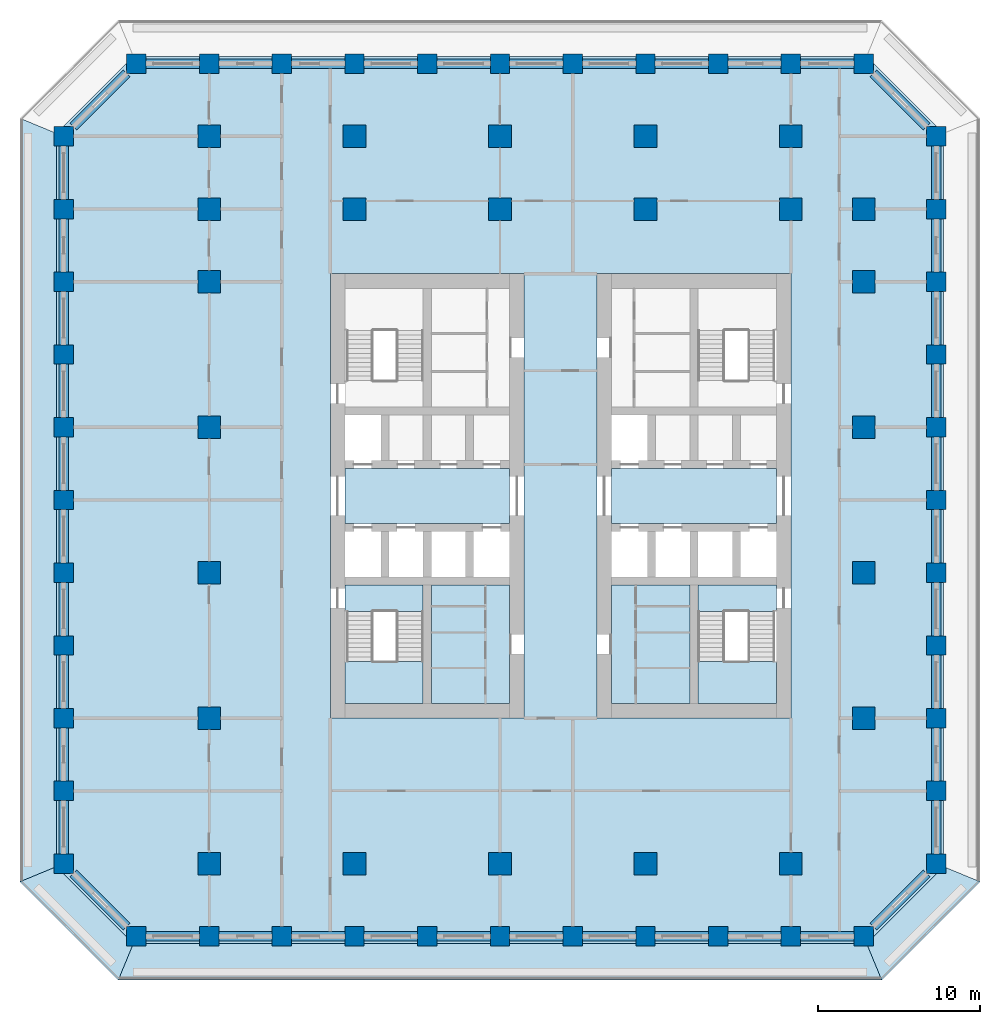
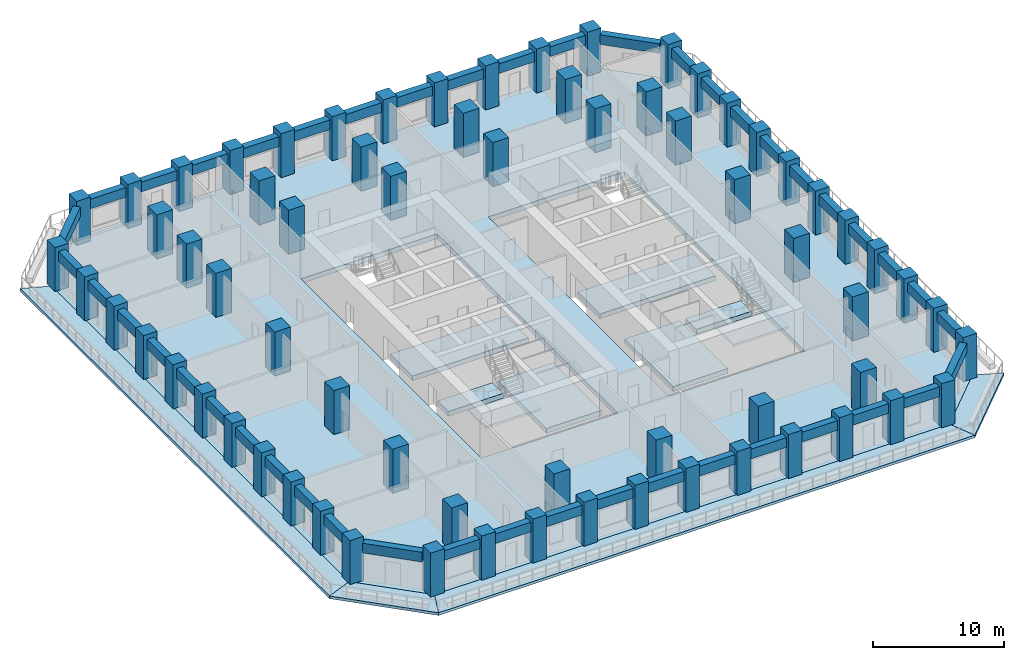
# One storey, part 1 of 17: 68 columns, 44 beams, 13 slabs, 2 elements without a shape of their own.
"""IFC4 building model written with IfcOpenShell, lengths in metres."""

from ifc_helpers import new_model, si_unit, direction, frame, origin, origin_2d, place, context, subcontext, project, spatial, polyline, rectangle, outline, extrude, material, layer, layer_set, material_profile, profile_set, type_object, element, aggregate, save


model = new_model("IFC4")

# Units and contexts
model_context = context("Model", 3, precision=1e-05, world=origin(), true_north=direction((0.0, 1.0)))
body_context = subcontext(model_context, "Body", "Model", "MODEL_VIEW")
ifc_project = project(units=[si_unit("LENGTHUNIT", "METRE"), si_unit("AREAUNIT", "SQUARE_METRE"), si_unit("VOLUMEUNIT", "CUBIC_METRE"), si_unit("PLANEANGLEUNIT", "RADIAN"), si_unit("MASSUNIT", "GRAM", prefix="KILO")], contexts=[model_context])

# Site, building, storey
site_placement = place(None, origin())
site = spatial("IfcSite", under=ifc_project, at=site_placement, CompositionType="ELEMENT")
building_placement = place(site_placement, origin())
building = spatial("IfcBuilding", under=site, at=building_placement, Name="Corbel Stack Research Tower", CompositionType="ELEMENT")
storey_placement = place(building_placement, frame((0.0, 0.0, 129.0)))
storey = spatial("IfcBuildingStorey", under=building, at=storey_placement, Name="L29", CompositionType="ELEMENT", Elevation=129.0)

# Columns
ifc_material_1 = material(Name="Concrete C70/85", Category="concrete")
ifc_material_profile_1 = material_profile(ifc_material_1, rectangle(XDim=1.199951171875, YDim=1.199951171875, at=origin_2d()), Name="RC 1200 x 1200")
ifc_profile_set_1 = profile_set([ifc_material_profile_1], Name="Concrete C70/85")
column_type_1 = type_object("IfcColumnType", Name="C-1200-70", PredefinedType="COLUMN", material=ifc_profile_set_1)
for number, where, z_axis, x_axis, name in (
    (1, (-27.0, -18.0, 0.0), (0.0, 0.0, 1.0), (1.0, 0.0, 0.0), "Column 2/D L29"),
    (2, (-27.0, -13.5, 0.0), (0.0, 0.0, 1.0), (1.0, 0.0, 0.0), "Column 2/E L29"),
    (3, (-27.0, -9.0, 0.0), (0.0, 0.0, 1.0), (1.0, 0.0, 0.0), "Column 2/F L29"),
    (4, (-27.0, -4.5, 0.0), (0.0, 0.0, 1.0), (1.0, 0.0, 0.0), "Column 2/G L29"),
    (5, (-27.0, 0.0, 0.0), (0.0, 0.0, 1.0), (1.0, 0.0, 0.0), "Column 2/H L29"),
    (6, (-27.0, 4.5, 0.0), (0.0, 0.0, 1.0), (1.0, 0.0, 0.0), "Column 2/J L29"),
    (7, (-27.0, 9.0, 0.0), (0.0, 0.0, 1.0), (1.0, 0.0, 0.0), "Column 2/K L29"),
    (8, (-27.0, 13.5, 0.0), (0.0, 0.0, 1.0), (1.0, 0.0, 0.0), "Column 2/L L29"),
    (9, (-27.0, 18.0, 0.0), (0.0, 0.0, 1.0), (1.0, 0.0, 0.0), "Column 2/M L29"),
    (10, (-27.0, 22.5, 0.0), (0.0, 0.0, 1.0), (1.0, 0.0, 0.0), "Column 2/N L29"),
    (11, (-27.0, 27.0, 0.0), (0.0, 0.0, 1.0), (1.0, 0.0, 0.0), "Column 2/P L29"),
    (12, (-22.5, -22.5, 0.0), (0.0, 0.0, 1.0), (1.0, 0.0, 0.0), "Column 3/C L29"),
    (13, (-22.5, 31.5, 0.0), (0.0, 0.0, 1.0), (1.0, 0.0, 0.0), "Column 3/Q L29"),
    (14, (-18.0, -22.5, 0.0), (0.0, 0.0, 1.0), (1.0, 0.0, 0.0), "Column 4/C L29"),
    (15, (-18.0, 31.5, 0.0), (0.0, 0.0, 1.0), (1.0, 0.0, 0.0), "Column 4/Q L29"),
    (16, (-13.5, -22.5, 0.0), (0.0, 0.0, 1.0), (1.0, 0.0, 0.0), "Column 5/C L29"),
    (17, (-13.5, 31.5, 0.0), (0.0, 0.0, 1.0), (1.0, 0.0, 0.0), "Column 5/Q L29"),
    (18, (-9.0, -22.5, 0.0), (0.0, 0.0, 1.0), (1.0, 0.0, 0.0), "Column 6/C L29"),
    (19, (-9.0, 31.5, 0.0), (0.0, 0.0, 1.0), (1.0, 0.0, 0.0), "Column 6/Q L29"),
    (20, (-4.5, -22.5, 0.0), (0.0, 0.0, 1.0), (1.0, 0.0, 0.0), "Column 7/C L29"),
    (21, (-4.5, 31.5, 0.0), (0.0, 0.0, 1.0), (1.0, 0.0, 0.0), "Column 7/Q L29"),
    (22, (0.0, -22.5, 0.0), (0.0, 0.0, 1.0), (1.0, 0.0, 0.0), "Column 8/C L29"),
    (23, (0.0, 31.5, 0.0), (0.0, 0.0, 1.0), (1.0, 0.0, 0.0), "Column 8/Q L29"),
    (24, (4.5, -22.5, 0.0), (0.0, 0.0, 1.0), (1.0, 0.0, 0.0), "Column 9/C L29"),
    (25, (4.5, 31.5, 0.0), (0.0, 0.0, 1.0), (1.0, 0.0, 0.0), "Column 9/Q L29"),
    (26, (9.0, -22.5, 0.0), (0.0, 0.0, 1.0), (1.0, 0.0, 0.0), "Column 10/C L29"),
    (27, (9.0, 31.5, 0.0), (0.0, 0.0, 1.0), (1.0, 0.0, 0.0), "Column 10/Q L29"),
    (28, (13.5, -22.5, 0.0), (0.0, 0.0, 1.0), (1.0, 0.0, 0.0), "Column 11/C L29"),
    (29, (13.5, 31.5, 0.0), (0.0, 0.0, 1.0), (1.0, 0.0, 0.0), "Column 11/Q L29"),
    (30, (18.0, -22.5, 0.0), (0.0, 0.0, 1.0), (1.0, 0.0, 0.0), "Column 12/C L29"),
    (31, (18.0, 31.5, 0.0), (0.0, 0.0, 1.0), (1.0, 0.0, 0.0), "Column 12/Q L29"),
    (32, (22.5, -22.5, 0.0), (0.0, 0.0, 1.0), (1.0, 0.0, 0.0), "Column 13/C L29"),
    (33, (22.5, 31.5, 0.0), (0.0, 0.0, 1.0), (1.0, 0.0, 0.0), "Column 13/Q L29"),
    (34, (27.0, -18.0, 0.0), (0.0, 0.0, 1.0), (1.0, 0.0, 0.0), "Column 14/D L29"),
    (35, (27.0, -13.5, 0.0), (0.0, 0.0, 1.0), (1.0, 0.0, 0.0), "Column 14/E L29"),
    (36, (27.0, -9.0, 0.0), (0.0, 0.0, 1.0), (1.0, 0.0, 0.0), "Column 14/F L29"),
    (37, (27.0, -4.5, 0.0), (0.0, 0.0, 1.0), (1.0, 0.0, 0.0), "Column 14/G L29"),
    (38, (27.0, 0.0, 0.0), (0.0, 0.0, 1.0), (1.0, 0.0, 0.0), "Column 14/H L29"),
    (39, (27.0, 4.5, 0.0), (0.0, 0.0, 1.0), (1.0, 0.0, 0.0), "Column 14/J L29"),
    (40, (27.0, 9.0, 0.0), (0.0, 0.0, 1.0), (1.0, 0.0, 0.0), "Column 14/K L29"),
    (41, (27.0, 13.5, 0.0), (0.0, 0.0, 1.0), (1.0, 0.0, 0.0), "Column 14/L L29"),
    (42, (27.0, 18.0, 0.0), (0.0, 0.0, 1.0), (1.0, 0.0, 0.0), "Column 14/M L29"),
    (43, (27.0, 22.5, 0.0), (0.0, 0.0, 1.0), (1.0, 0.0, 0.0), "Column 14/N L29"),
    (44, (27.0, 27.0, 0.0), (0.0, 0.0, 1.0), (1.0, 0.0, 0.0), "Column 14/P L29"),
):
    element("IfcColumn", number, at=place(storey_placement, frame(where, z_axis=z_axis, x_axis=x_axis)), inside=storey, type_object=column_type_1, Name=name, PredefinedType="COLUMN", context=body_context, shape_type="SweptSolid", body=[
        extrude(rectangle(XDim=1.199951171875, YDim=1.199951171875, at=origin_2d()), origin(), (0.0, 0.0, 1.0), 4.10009765625),
    ])
ifc_material_2 = material(Name="Concrete C70/85", Category="concrete")
ifc_material_profile_2 = material_profile(ifc_material_2, rectangle(XDim=1.39990234375, YDim=1.39990234375, at=origin_2d()), Name="RC 1400 x 1400")
ifc_profile_set_2 = profile_set([ifc_material_profile_2], Name="Concrete C70/85")
column_type_2 = type_object("IfcColumnType", Name="C-1400-70", PredefinedType="COLUMN", material=ifc_profile_set_2)
for number, where, z_axis, x_axis, name in (
    (45, (-18.0, -18.0, 0.0), (0.0, 0.0, 1.0), (1.0, 0.0, 0.0), "Column 4/D L29"),
    (46, (-18.0, -9.0, 0.0), (0.0, 0.0, 1.0), (1.0, 0.0, 0.0), "Column 4/F L29"),
    (47, (-18.0, 0.0, 0.0), (0.0, 0.0, 1.0), (1.0, 0.0, 0.0), "Column 4/H L29"),
    (48, (-18.0, 9.0, 0.0), (0.0, 0.0, 1.0), (1.0, 0.0, 0.0), "Column 4/K L29"),
    (49, (-18.0, 18.0, 0.0), (0.0, 0.0, 1.0), (1.0, 0.0, 0.0), "Column 4/M L29"),
    (50, (-18.0, 22.5, 0.0), (0.0, 0.0, 1.0), (1.0, 0.0, 0.0), "Column 4/N L29"),
    (51, (-18.0, 27.0, 0.0), (0.0, 0.0, 1.0), (1.0, 0.0, 0.0), "Column 4/P L29"),
    (52, (-9.0, -18.0, 0.0), (0.0, 0.0, 1.0), (1.0, 0.0, 0.0), "Column 6/D L29"),
    (53, (-9.0, 22.5, 0.0), (0.0, 0.0, 1.0), (1.0, 0.0, 0.0), "Column 6/N L29"),
    (54, (-9.0, 27.0, 0.0), (0.0, 0.0, 1.0), (1.0, 0.0, 0.0), "Column 6/P L29"),
    (55, (0.0, -18.0, 0.0), (0.0, 0.0, 1.0), (1.0, 0.0, 0.0), "Column 8/D L29"),
    (56, (0.0, 22.5, 0.0), (0.0, 0.0, 1.0), (1.0, 0.0, 0.0), "Column 8/N L29"),
    (57, (0.0, 27.0, 0.0), (0.0, 0.0, 1.0), (1.0, 0.0, 0.0), "Column 8/P L29"),
    (58, (9.0, -18.0, 0.0), (0.0, 0.0, 1.0), (1.0, 0.0, 0.0), "Column 10/D L29"),
    (59, (9.0, 22.5, 0.0), (0.0, 0.0, 1.0), (1.0, 0.0, 0.0), "Column 10/N L29"),
    (60, (9.0, 27.0, 0.0), (0.0, 0.0, 1.0), (1.0, 0.0, 0.0), "Column 10/P L29"),
    (61, (18.0, -18.0, 0.0), (0.0, 0.0, 1.0), (1.0, 0.0, 0.0), "Column 12/D L29"),
    (62, (18.0, 22.5, 0.0), (0.0, 0.0, 1.0), (1.0, 0.0, 0.0), "Column 12/N L29"),
    (63, (18.0, 27.0, 0.0), (0.0, 0.0, 1.0), (1.0, 0.0, 0.0), "Column 12/P L29"),
    (64, (22.5, -9.0, 0.0), (0.0, 0.0, 1.0), (1.0, 0.0, 0.0), "Column 13/F L29"),
    (65, (22.5, 0.0, 0.0), (0.0, 0.0, 1.0), (1.0, 0.0, 0.0), "Column 13/H L29"),
    (66, (22.5, 9.0, 0.0), (0.0, 0.0, 1.0), (1.0, 0.0, 0.0), "Column 13/K L29"),
    (67, (22.5, 18.0, 0.0), (0.0, 0.0, 1.0), (1.0, 0.0, 0.0), "Column 13/M L29"),
    (68, (22.5, 22.5, 0.0), (0.0, 0.0, 1.0), (1.0, 0.0, 0.0), "Column 13/N L29"),
):
    element("IfcColumn", number, at=place(storey_placement, frame(where, z_axis=z_axis, x_axis=x_axis)), inside=storey, type_object=column_type_2, Name=name, PredefinedType="COLUMN", context=body_context, shape_type="SweptSolid", body=[
        extrude(rectangle(XDim=1.39990234375, YDim=1.39990234375, at=origin_2d()), origin(), (0.0, 0.0, 1.0), 4.10009765625),
    ])

# Beams
ifc_material_3 = material(Name="Concrete C60/75", Category="concrete")
ifc_material_profile_3 = material_profile(ifc_material_3, rectangle(XDim=0.60009765625, YDim=0.89990234375, at=origin_2d()), Name="RC 600 x 900")
ifc_profile_set_3 = profile_set([ifc_material_profile_3], Name="Concrete C60/75")
beam_type = type_object("IfcBeamType", Name="SB-600-900-450", PredefinedType="SPANDREL", material=ifc_profile_set_3)
for number, where, z_axis, x_axis, name in (
    (69, (-21.89990234375, -22.5, 3.199951171875), (1.0, 0.0, 0.0), (0.0, 1.0, 0.0), "Spandrel beam L29-01"),
    (70, (-17.39990234375, -22.5, 3.199951171875), (1.0, 0.0, 0.0), (0.0, 1.0, 0.0), "Spandrel beam L29-02"),
    (71, (-12.89990234375, -22.5, 3.199951171875), (1.0, 0.0, 0.0), (0.0, 1.0, 0.0), "Spandrel beam L29-03"),
    (72, (-8.39990234375, -22.5, 3.199951171875), (1.0, 0.0, 0.0), (0.0, 1.0, 0.0), "Spandrel beam L29-04"),
    (73, (-3.89990234375, -22.5, 3.199951171875), (1.0, 0.0, 0.0), (0.0, 1.0, 0.0), "Spandrel beam L29-05"),
    (74, (0.60009765625, -22.5, 3.199951171875), (1.0, 0.0, 0.0), (0.0, 1.0, 0.0), "Spandrel beam L29-06"),
    (75, (5.10009765625, -22.5, 3.199951171875), (1.0, 0.0, 0.0), (0.0, 1.0, 0.0), "Spandrel beam L29-07"),
    (76, (9.60009765625, -22.5, 3.199951171875), (1.0, 0.0, 0.0), (0.0, 1.0, 0.0), "Spandrel beam L29-08"),
    (77, (14.10009765625, -22.5, 3.199951171875), (1.0, 0.0, 0.0), (0.0, 1.0, 0.0), "Spandrel beam L29-09"),
    (78, (18.60009765625, -22.5, 3.199951171875), (1.0, 0.0, 0.0), (0.0, 1.0, 0.0), "Spandrel beam L29-10"),
):
    element("IfcBeam", number, at=place(storey_placement, frame(where, z_axis=z_axis, x_axis=x_axis)), inside=storey, type_object=beam_type, Name=name, PredefinedType="SPANDREL", context=body_context, shape_type="SweptSolid", body=[
        extrude(rectangle(XDim=0.60009765625, YDim=0.89990234375, at=origin_2d()), origin(), (0.0, 0.0, 1.0), 3.2998046875),
    ])
beam_1_placement = place(storey_placement, frame((23.10009765625, -21.89990234375, 3.199951171875), z_axis=(0.707106781187, 0.707106781187, 0.0), x_axis=(-0.707106781187, 0.707106781187, 0.0)))
element("IfcBeam", 79, at=beam_1_placement, inside=storey, type_object=beam_type, Name="Spandrel beam L29-11", PredefinedType="SPANDREL", context=body_context, shape_type="SweptSolid", body=[
    extrude(rectangle(XDim=0.60009765625, YDim=0.89990234375, at=origin_2d()), origin(), (0.0, 0.0, 1.0), 4.666748046875),
])
for number, where, z_axis, x_axis, name in (
    (80, (27.0, -17.39990234375, 3.199951171875), (0.0, 1.0, 0.0), (-1.0, 0.0, 0.0), "Spandrel beam L29-12"),
    (81, (27.0, -12.89990234375, 3.199951171875), (0.0, 1.0, 0.0), (-1.0, 0.0, 0.0), "Spandrel beam L29-13"),
    (82, (27.0, -8.39990234375, 3.199951171875), (0.0, 1.0, 0.0), (-1.0, 0.0, 0.0), "Spandrel beam L29-14"),
    (83, (27.0, -3.89990234375, 3.199951171875), (0.0, 1.0, 0.0), (-1.0, 0.0, 0.0), "Spandrel beam L29-15"),
    (84, (27.0, 0.60009765625, 3.199951171875), (0.0, 1.0, 0.0), (-1.0, 0.0, 0.0), "Spandrel beam L29-16"),
    (85, (27.0, 5.10009765625, 3.199951171875), (0.0, 1.0, 0.0), (-1.0, 0.0, 0.0), "Spandrel beam L29-17"),
    (86, (27.0, 9.60009765625, 3.199951171875), (0.0, 1.0, 0.0), (-1.0, 0.0, 0.0), "Spandrel beam L29-18"),
    (87, (27.0, 14.10009765625, 3.199951171875), (0.0, 1.0, 0.0), (-1.0, 0.0, 0.0), "Spandrel beam L29-19"),
    (88, (27.0, 18.60009765625, 3.199951171875), (0.0, 1.0, 0.0), (-1.0, 0.0, 0.0), "Spandrel beam L29-20"),
    (89, (27.0, 23.10009765625, 3.199951171875), (0.0, 1.0, 0.0), (-1.0, 0.0, 0.0), "Spandrel beam L29-21"),
):
    element("IfcBeam", number, at=place(storey_placement, frame(where, z_axis=z_axis, x_axis=x_axis)), inside=storey, type_object=beam_type, Name=name, PredefinedType="SPANDREL", context=body_context, shape_type="SweptSolid", body=[
        extrude(rectangle(XDim=0.60009765625, YDim=0.89990234375, at=origin_2d()), origin(), (0.0, 0.0, 1.0), 3.2998046875),
    ])
beam_2_placement = place(storey_placement, frame((26.39990234375, 27.60009765625, 3.199951171875), z_axis=(-0.707106781187, 0.707106781187, 0.0), x_axis=(-0.707106781187, -0.707106781187, 0.0)))
element("IfcBeam", 90, at=beam_2_placement, inside=storey, type_object=beam_type, Name="Spandrel beam L29-22", PredefinedType="SPANDREL", context=body_context, shape_type="SweptSolid", body=[
    extrude(rectangle(XDim=0.60009765625, YDim=0.89990234375, at=origin_2d()), origin(), (0.0, 0.0, 1.0), 4.666748046875),
])
for number, where, z_axis, x_axis, name in (
    (91, (21.89990234375, 31.5, 3.199951171875), (-1.0, 0.0, 0.0), (0.0, -1.0, 0.0), "Spandrel beam L29-23"),
    (92, (17.39990234375, 31.5, 3.199951171875), (-1.0, 0.0, 0.0), (0.0, -1.0, 0.0), "Spandrel beam L29-24"),
    (93, (12.89990234375, 31.5, 3.199951171875), (-1.0, 0.0, 0.0), (0.0, -1.0, 0.0), "Spandrel beam L29-25"),
    (94, (8.39990234375, 31.5, 3.199951171875), (-1.0, 0.0, 0.0), (0.0, -1.0, 0.0), "Spandrel beam L29-26"),
    (95, (3.89990234375, 31.5, 3.199951171875), (-1.0, 0.0, 0.0), (0.0, -1.0, 0.0), "Spandrel beam L29-27"),
    (96, (-0.60009765625, 31.5, 3.199951171875), (-1.0, 0.0, 0.0), (0.0, -1.0, 0.0), "Spandrel beam L29-28"),
    (97, (-5.10009765625, 31.5, 3.199951171875), (-1.0, 0.0, 0.0), (0.0, -1.0, 0.0), "Spandrel beam L29-29"),
    (98, (-9.60009765625, 31.5, 3.199951171875), (-1.0, 0.0, 0.0), (0.0, -1.0, 0.0), "Spandrel beam L29-30"),
    (99, (-14.10009765625, 31.5, 3.199951171875), (-1.0, 0.0, 0.0), (0.0, -1.0, 0.0), "Spandrel beam L29-31"),
    (100, (-18.60009765625, 31.5, 3.199951171875), (-1.0, 0.0, 0.0), (0.0, -1.0, 0.0), "Spandrel beam L29-32"),
):
    element("IfcBeam", number, at=place(storey_placement, frame(where, z_axis=z_axis, x_axis=x_axis)), inside=storey, type_object=beam_type, Name=name, PredefinedType="SPANDREL", context=body_context, shape_type="SweptSolid", body=[
        extrude(rectangle(XDim=0.60009765625, YDim=0.89990234375, at=origin_2d()), origin(), (0.0, 0.0, 1.0), 3.2998046875),
    ])
beam_3_placement = place(storey_placement, frame((-23.10009765625, 30.89990234375, 3.199951171875), z_axis=(-0.707106781187, -0.707106781187, 0.0), x_axis=(0.707106781187, -0.707106781187, 0.0)))
element("IfcBeam", 101, at=beam_3_placement, inside=storey, type_object=beam_type, Name="Spandrel beam L29-33", PredefinedType="SPANDREL", context=body_context, shape_type="SweptSolid", body=[
    extrude(rectangle(XDim=0.60009765625, YDim=0.89990234375, at=origin_2d()), origin(), (0.0, 0.0, 1.0), 4.666748046875),
])
for number, where, z_axis, x_axis, name in (
    (102, (-27.0, 26.39990234375, 3.199951171875), (0.0, -1.0, 0.0), (1.0, 0.0, 0.0), "Spandrel beam L29-34"),
    (103, (-27.0, 21.89990234375, 3.199951171875), (0.0, -1.0, 0.0), (1.0, 0.0, 0.0), "Spandrel beam L29-35"),
    (104, (-27.0, 17.39990234375, 3.199951171875), (0.0, -1.0, 0.0), (1.0, 0.0, 0.0), "Spandrel beam L29-36"),
    (105, (-27.0, 12.89990234375, 3.199951171875), (0.0, -1.0, 0.0), (1.0, 0.0, 0.0), "Spandrel beam L29-37"),
    (106, (-27.0, 8.39990234375, 3.199951171875), (0.0, -1.0, 0.0), (1.0, 0.0, 0.0), "Spandrel beam L29-38"),
    (107, (-27.0, 3.89990234375, 3.199951171875), (0.0, -1.0, 0.0), (1.0, 0.0, 0.0), "Spandrel beam L29-39"),
    (108, (-27.0, -0.60009765625, 3.199951171875), (0.0, -1.0, 0.0), (1.0, 0.0, 0.0), "Spandrel beam L29-40"),
    (109, (-27.0, -5.10009765625, 3.199951171875), (0.0, -1.0, 0.0), (1.0, 0.0, 0.0), "Spandrel beam L29-41"),
    (110, (-27.0, -9.60009765625, 3.199951171875), (0.0, -1.0, 0.0), (1.0, 0.0, 0.0), "Spandrel beam L29-42"),
    (111, (-27.0, -14.10009765625, 3.199951171875), (0.0, -1.0, 0.0), (1.0, 0.0, 0.0), "Spandrel beam L29-43"),
):
    element("IfcBeam", number, at=place(storey_placement, frame(where, z_axis=z_axis, x_axis=x_axis)), inside=storey, type_object=beam_type, Name=name, PredefinedType="SPANDREL", context=body_context, shape_type="SweptSolid", body=[
        extrude(rectangle(XDim=0.60009765625, YDim=0.89990234375, at=origin_2d()), origin(), (0.0, 0.0, 1.0), 3.2998046875),
    ])
beam_4_placement = place(storey_placement, frame((-26.39990234375, -18.60009765625, 3.199951171875), z_axis=(0.707106781187, -0.707106781187, 0.0), x_axis=(0.707106781187, 0.707106781187, 0.0)))
element("IfcBeam", 112, at=beam_4_placement, inside=storey, type_object=beam_type, Name="Spandrel beam L29-44", PredefinedType="SPANDREL", context=body_context, shape_type="SweptSolid", body=[
    extrude(rectangle(XDim=0.60009765625, YDim=0.89990234375, at=origin_2d()), origin(), (0.0, 0.0, 1.0), 4.666748046875),
])

# Slabs
ifc_material_4 = material(Name="Concrete C45/55", Category="concrete")
ifc_layer_1 = layer(ifc_material_4, 0.25)
ifc_layer_set_1 = layer_set([ifc_layer_1], Name="Concrete C45/55")
slab_type_1 = type_object("IfcSlabType", Name="PT balcony slab 250 C45/55", PredefinedType="FLOOR", material=ifc_layer_set_1)
slab_1_placement = place(storey_placement, frame((0.0, 0.0, -0.25)))
element("IfcSlab", 113, at=slab_1_placement, inside=storey, type_object=slab_type_1, Name="Loggia slab L29 S", PredefinedType="FLOOR", context=body_context, shape_type="SweptSolid", body=[
    extrude(outline(polyline([(22.74853515625, -23.10009765625), (21.89990234375, -23.10009765625), (21.89990234375, -22.949951171875), (18.60009765625, -22.949951171875), (18.60009765625, -23.10009765625), (17.39990234375, -23.10009765625), (17.39990234375, -22.949951171875), (14.10009765625, -22.949951171875), (14.10009765625, -23.10009765625), (12.89990234375, -23.10009765625), (12.89990234375, -22.949951171875), (9.60009765625, -22.949951171875), (9.60009765625, -23.10009765625), (8.39990234375, -23.10009765625), (8.39990234375, -22.949951171875), (5.10009765625, -22.949951171875), (5.10009765625, -23.10009765625), (3.89990234375, -23.10009765625), (3.89990234375, -22.949951171875), (0.60009765625, -22.949951171875), (0.60009765625, -23.10009765625), (-0.60009765625, -23.10009765625), (-0.60009765625, -22.949951171875), (-3.89990234375, -22.949951171875), (-3.89990234375, -23.10009765625), (-5.10009765625, -23.10009765625), (-5.10009765625, -22.949951171875), (-8.39990234375, -22.949951171875), (-8.39990234375, -23.10009765625), (-9.60009765625, -23.10009765625), (-9.60009765625, -22.949951171875), (-12.89990234375, -22.949951171875), (-12.89990234375, -23.10009765625), (-14.10009765625, -23.10009765625), (-14.10009765625, -22.949951171875), (-17.39990234375, -22.949951171875), (-17.39990234375, -23.10009765625), (-18.60009765625, -23.10009765625), (-18.60009765625, -22.949951171875), (-21.89990234375, -22.949951171875), (-21.89990234375, -23.10009765625), (-22.74853515625, -23.10009765625), (-23.618408203125, -25.199951171875), (23.618408203125, -25.199951171875), (22.74853515625, -23.10009765625)])), origin(), (0.0, 0.0, 1.0), 0.25),
])
slab_2_placement = place(storey_placement, frame((0.0, 0.0, -0.25)))
element("IfcSlab", 114, at=slab_2_placement, inside=storey, type_object=slab_type_1, Name="Loggia slab L29 SE", PredefinedType="FLOOR", context=body_context, shape_type="SweptSolid", body=[
    extrude(outline(polyline([(27.60009765625, -18.24853515625), (27.60009765625, -18.60009765625), (27.036376953125, -18.60009765625), (23.10009765625, -22.536376953125), (23.10009765625, -23.10009765625), (22.74853515625, -23.10009765625), (23.618408203125, -25.199951171875), (29.699951171875, -19.118408203125), (27.60009765625, -18.24853515625)])), origin(), (0.0, 0.0, 1.0), 0.25),
])
slab_3_placement = place(storey_placement, frame((0.0, 0.0, -0.25)))
element("IfcSlab", 115, at=slab_3_placement, inside=storey, type_object=slab_type_1, Name="Loggia slab L29 W", PredefinedType="FLOOR", context=body_context, shape_type="SweptSolid", body=[
    extrude(outline(polyline([(-27.60009765625, -18.24853515625), (-27.60009765625, -17.39990234375), (-27.449951171875, -17.39990234375), (-27.449951171875, -14.10009765625), (-27.60009765625, -14.10009765625), (-27.60009765625, -12.89990234375), (-27.449951171875, -12.89990234375), (-27.449951171875, -9.60009765625), (-27.60009765625, -9.60009765625), (-27.60009765625, -8.39990234375), (-27.449951171875, -8.39990234375), (-27.449951171875, -5.10009765625), (-27.60009765625, -5.10009765625), (-27.60009765625, -3.89990234375), (-27.449951171875, -3.89990234375), (-27.449951171875, -0.60009765625), (-27.60009765625, -0.60009765625), (-27.60009765625, 0.60009765625), (-27.449951171875, 0.60009765625), (-27.449951171875, 3.89990234375), (-27.60009765625, 3.89990234375), (-27.60009765625, 5.10009765625), (-27.449951171875, 5.10009765625), (-27.449951171875, 8.39990234375), (-27.60009765625, 8.39990234375), (-27.60009765625, 9.60009765625), (-27.449951171875, 9.60009765625), (-27.449951171875, 12.89990234375), (-27.60009765625, 12.89990234375), (-27.60009765625, 14.10009765625), (-27.449951171875, 14.10009765625), (-27.449951171875, 17.39990234375), (-27.60009765625, 17.39990234375), (-27.60009765625, 18.60009765625), (-27.449951171875, 18.60009765625), (-27.449951171875, 21.89990234375), (-27.60009765625, 21.89990234375), (-27.60009765625, 23.10009765625), (-27.449951171875, 23.10009765625), (-27.449951171875, 26.39990234375), (-27.60009765625, 26.39990234375), (-27.60009765625, 27.24853515625), (-29.699951171875, 28.118408203125), (-29.699951171875, -19.118408203125), (-27.60009765625, -18.24853515625)])), origin(), (0.0, 0.0, 1.0), 0.25),
])
slab_4_placement = place(storey_placement, frame((0.0, 0.0, -0.25)))
element("IfcSlab", 116, at=slab_4_placement, inside=storey, type_object=slab_type_1, Name="Loggia slab L29 SW", PredefinedType="FLOOR", context=body_context, shape_type="SweptSolid", body=[
    extrude(outline(polyline([(-22.74853515625, -23.10009765625), (-23.10009765625, -23.10009765625), (-23.10009765625, -22.536376953125), (-27.036376953125, -18.60009765625), (-27.60009765625, -18.60009765625), (-27.60009765625, -18.24853515625), (-29.699951171875, -19.118408203125), (-23.618408203125, -25.199951171875), (-22.74853515625, -23.10009765625)])), origin(), (0.0, 0.0, 1.0), 0.25),
])
ifc_material_5 = material(Name="Concrete C45/55", Category="concrete")
ifc_layer_2 = layer(ifc_material_5, 0.449951171875)
ifc_layer_set_2 = layer_set([ifc_layer_2], Name="Concrete C45/55")
slab_type_2 = type_object("IfcSlabType", Name="PT-450", PredefinedType="FLOOR", material=ifc_layer_set_2)
slab_5_placement = place(storey_placement, frame((0.0, 0.0, -0.449951171875)))
element("IfcSlab", 117, at=slab_5_placement, inside=storey, type_object=slab_type_2, Name="Floor slab L29", PredefinedType="FLOOR", context=body_context, shape_type="SweptSolid", body=[
    extrude(outline(polyline([(-22.686279296875, -22.949951171875), (22.686279296875, -22.949951171875), (27.449951171875, -18.186279296875), (27.449951171875, 27.186279296875), (22.686279296875, 31.949951171875), (-22.686279296875, 31.949951171875), (-27.449951171875, 27.186279296875), (-27.449951171875, -18.186279296875), (-22.686279296875, -22.949951171875)]), holes=[polyline([(21.800048828125, 21.800048828125), (21.800048828125, 23.199951171875), (23.199951171875, 23.199951171875), (23.199951171875, 21.800048828125), (21.800048828125, 21.800048828125)]), polyline([(23.199951171875, 17.300048828125), (21.800048828125, 17.300048828125), (21.800048828125, 18.699951171875), (23.199951171875, 18.699951171875), (23.199951171875, 17.300048828125)]), polyline([(21.800048828125, 8.300048828125), (21.800048828125, 9.699951171875), (23.199951171875, 9.699951171875), (23.199951171875, 8.300048828125), (21.800048828125, 8.300048828125)]), polyline([(23.199951171875, -0.699951171875), (21.800048828125, -0.699951171875), (21.800048828125, 0.699951171875), (23.199951171875, 0.699951171875), (23.199951171875, -0.699951171875)]), polyline([(21.800048828125, -9.699951171875), (21.800048828125, -8.300048828125), (23.199951171875, -8.300048828125), (23.199951171875, -9.699951171875), (21.800048828125, -9.699951171875)]), polyline([(17.300048828125, 26.300048828125), (17.300048828125, 27.699951171875), (18.699951171875, 27.699951171875), (18.699951171875, 26.300048828125), (17.300048828125, 26.300048828125)]), polyline([(17.300048828125, 21.800048828125), (17.300048828125, 23.199951171875), (18.699951171875, 23.199951171875), (18.699951171875, 21.800048828125), (17.300048828125, 21.800048828125)]), polyline([(17.300048828125, -18.699951171875), (17.300048828125, -17.300048828125), (18.699951171875, -17.300048828125), (18.699951171875, -18.699951171875), (17.300048828125, -18.699951171875)]), polyline([(6.0, -9.0), (6.0, 18.5), (18.0, 18.5), (18.0, -9.0), (6.0, -9.0)]), polyline([(8.300048828125, 26.300048828125), (8.300048828125, 27.699951171875), (9.699951171875, 27.699951171875), (9.699951171875, 26.300048828125), (8.300048828125, 26.300048828125)]), polyline([(8.300048828125, 21.800048828125), (8.300048828125, 23.199951171875), (9.699951171875, 23.199951171875), (9.699951171875, 21.800048828125), (8.300048828125, 21.800048828125)]), polyline([(9.699951171875, -18.699951171875), (8.300048828125, -18.699951171875), (8.300048828125, -17.300048828125), (9.699951171875, -17.300048828125), (9.699951171875, -18.699951171875)]), polyline([(-10.5, -9.0), (-10.5, 18.5), (1.5, 18.5), (1.5, -9.0), (-10.5, -9.0)]), polyline([(-0.699951171875, 26.300048828125), (-0.699951171875, 27.699951171875), (0.699951171875, 27.699951171875), (0.699951171875, 26.300048828125), (-0.699951171875, 26.300048828125)]), polyline([(-0.699951171875, 21.800048828125), (-0.699951171875, 23.199951171875), (0.699951171875, 23.199951171875), (0.699951171875, 21.800048828125), (-0.699951171875, 21.800048828125)]), polyline([(-0.699951171875, -18.699951171875), (-0.699951171875, -17.300048828125), (0.699951171875, -17.300048828125), (0.699951171875, -18.699951171875), (-0.699951171875, -18.699951171875)]), polyline([(-9.699951171875, 26.300048828125), (-9.699951171875, 27.699951171875), (-8.300048828125, 27.699951171875), (-8.300048828125, 26.300048828125), (-9.699951171875, 26.300048828125)]), polyline([(-9.699951171875, 21.800048828125), (-9.699951171875, 23.199951171875), (-8.300048828125, 23.199951171875), (-8.300048828125, 21.800048828125), (-9.699951171875, 21.800048828125)]), polyline([(-9.699951171875, -18.699951171875), (-9.699951171875, -17.300048828125), (-8.300048828125, -17.300048828125), (-8.300048828125, -18.699951171875), (-9.699951171875, -18.699951171875)]), polyline([(-18.699951171875, 26.300048828125), (-18.699951171875, 27.699951171875), (-17.300048828125, 27.699951171875), (-17.300048828125, 26.300048828125), (-18.699951171875, 26.300048828125)]), polyline([(-18.699951171875, 21.800048828125), (-18.699951171875, 23.199951171875), (-17.300048828125, 23.199951171875), (-17.300048828125, 21.800048828125), (-18.699951171875, 21.800048828125)]), polyline([(-18.699951171875, 17.300048828125), (-18.699951171875, 18.699951171875), (-17.300048828125, 18.699951171875), (-17.300048828125, 17.300048828125), (-18.699951171875, 17.300048828125)]), polyline([(-17.300048828125, 8.300048828125), (-18.699951171875, 8.300048828125), (-18.699951171875, 9.699951171875), (-17.300048828125, 9.699951171875), (-17.300048828125, 8.300048828125)]), polyline([(-18.699951171875, -0.699951171875), (-18.699951171875, 0.699951171875), (-17.300048828125, 0.699951171875), (-17.300048828125, -0.699951171875), (-18.699951171875, -0.699951171875)]), polyline([(-17.300048828125, -9.699951171875), (-18.699951171875, -9.699951171875), (-18.699951171875, -8.300048828125), (-17.300048828125, -8.300048828125), (-17.300048828125, -9.699951171875)]), polyline([(-17.300048828125, -18.699951171875), (-18.699951171875, -18.699951171875), (-18.699951171875, -17.300048828125), (-17.300048828125, -17.300048828125), (-17.300048828125, -18.699951171875)])]), origin(), (0.0, 0.0, 1.0), 0.449951171875),
])
slab_6_placement = place(storey_placement, frame((0.0, 0.0, -0.449951171875)))
element("IfcSlab", 118, at=slab_6_placement, inside=storey, type_object=slab_type_2, Name="West core floor L29", PredefinedType="FLOOR", context=body_context, shape_type="SweptSolid", body=[
    extrude(outline(polyline([(0.60009765625, 6.449951171875), (-9.60009765625, 6.449951171875), (-9.60009765625, 3.050048828125), (0.60009765625, 3.050048828125), (0.60009765625, 6.449951171875)])), origin(), (0.0, 0.0, 1.0), 0.449951171875),
])
slab_7_placement = place(storey_placement, frame((0.0, 0.0, -0.449951171875)))
element("IfcSlab", 119, at=slab_7_placement, inside=storey, type_object=slab_type_2, Name="West core floor L29", PredefinedType="FLOOR", context=body_context, shape_type="SweptSolid", body=[
    extrude(outline(polyline([(0.60009765625, -8.10009765625), (0.60009765625, -0.75), (-4.25, -0.75), (-4.25, -8.10009765625), (0.60009765625, -8.10009765625)])), origin(), (0.0, 0.0, 1.0), 0.449951171875),
])
slab_8_placement = place(storey_placement, frame((0.0, 0.0, -0.449951171875)))
element("IfcSlab", 120, at=slab_8_placement, inside=storey, type_object=slab_type_2, Name="East core floor L29", PredefinedType="FLOOR", context=body_context, shape_type="SweptSolid", body=[
    extrude(outline(polyline([(11.75, -0.75), (6.89990234375, -0.75), (6.89990234375, -8.10009765625), (11.75, -8.10009765625), (11.75, -0.75)])), origin(), (0.0, 0.0, 1.0), 0.449951171875),
])
slab_9_placement = place(storey_placement, frame((0.0, 0.0, -0.449951171875)))
element("IfcSlab", 121, at=slab_9_placement, inside=storey, type_object=slab_type_2, Name="East core floor L29", PredefinedType="FLOOR", context=body_context, shape_type="SweptSolid", body=[
    extrude(outline(polyline([(6.89990234375, 6.449951171875), (6.89990234375, 3.050048828125), (17.10009765625, 3.050048828125), (17.10009765625, 6.449951171875), (6.89990234375, 6.449951171875)])), origin(), (0.0, 0.0, 1.0), 0.449951171875),
])
slab_10_placement = place(storey_placement, frame((0.0, 0.0, -0.449951171875)))
element("IfcSlab", 122, at=slab_10_placement, inside=storey, type_object=slab_type_2, Name="Stair floor landing ST-W1", PredefinedType="FLOOR", context=body_context, shape_type="SweptSolid", body=[
    extrude(outline(polyline([(-9.60009765625, -2.39990234375), (-4.75, -2.39990234375), (-4.75, -0.75), (-9.60009765625, -0.75), (-9.60009765625, -2.39990234375)])), origin(), (0.0, 0.0, 1.0), 0.449951171875),
])
slab_11_placement = place(storey_placement, frame((0.0, 0.0, -0.449951171875)))
element("IfcSlab", 123, at=slab_11_placement, inside=storey, type_object=slab_type_2, Name="Stair floor landing ST-E1", PredefinedType="FLOOR", context=body_context, shape_type="SweptSolid", body=[
    extrude(outline(polyline([(12.25, -2.39990234375), (17.10009765625, -2.39990234375), (17.10009765625, -0.75), (12.25, -0.75), (12.25, -2.39990234375)])), origin(), (0.0, 0.0, 1.0), 0.449951171875),
])

# Stair, slab
ifc_material_6 = material(Name="Concrete C40/50", Category="concrete")
stair_type = type_object("IfcStairType", Name="Exit stair 24 risers", PredefinedType="HALF_TURN_STAIR", material=ifc_material_6)
stair_1_placement = place(storey_placement, origin())
stair_1 = element("IfcStair", 124, at=stair_1_placement, inside=storey, type_object=stair_type, Name="L29 Exit stair ST-W1", PredefinedType="HALF_TURN_STAIR")
ifc_material_7 = material(Name="Concrete C40/50", Category="concrete")
ifc_layer_3 = layer(ifc_material_7, 0.199951171875)
ifc_layer_set_3 = layer_set([ifc_layer_3], Name="Concrete C40/50")
slab_type_3 = type_object("IfcSlabType", Name="Stair landing 200 C40/50", PredefinedType="LANDING", material=ifc_layer_set_3)
slab_12_placement = place(storey_placement, frame((0.0, 0.0, 1.85009765625)))
slab_12 = element("IfcSlab", 125, at=slab_12_placement, type_object=slab_type_3, Name="ST-W1 landing 1", PredefinedType="LANDING", context=body_context, shape_type="SweptSolid", body=[
    extrude(outline(polyline([(-9.60009765625, -8.10009765625), (-9.60009765625, -5.47998046875), (-4.75, -5.47998046875), (-4.75, -8.10009765625), (-9.60009765625, -8.10009765625)])), origin(), (0.0, 0.0, 1.0), 0.199951171875),
])
aggregate(stair_1, [slab_12])

stair_2_placement = place(storey_placement, origin())
stair_2 = element("IfcStair", 126, at=stair_2_placement, inside=storey, type_object=stair_type, Name="L29 Exit stair ST-E1", PredefinedType="HALF_TURN_STAIR")
slab_13_placement = place(storey_placement, frame((0.0, 0.0, 1.85009765625)))
slab_13 = element("IfcSlab", 127, at=slab_13_placement, type_object=slab_type_3, Name="ST-E1 landing 1", PredefinedType="LANDING", context=body_context, shape_type="SweptSolid", body=[
    extrude(outline(polyline([(12.25, -8.10009765625), (12.25, -5.47998046875), (17.10009765625, -5.47998046875), (17.10009765625, -8.10009765625), (12.25, -8.10009765625)])), origin(), (0.0, 0.0, 1.0), 0.199951171875),
])
aggregate(stair_2, [slab_13])

save(model, "model.ifc")
